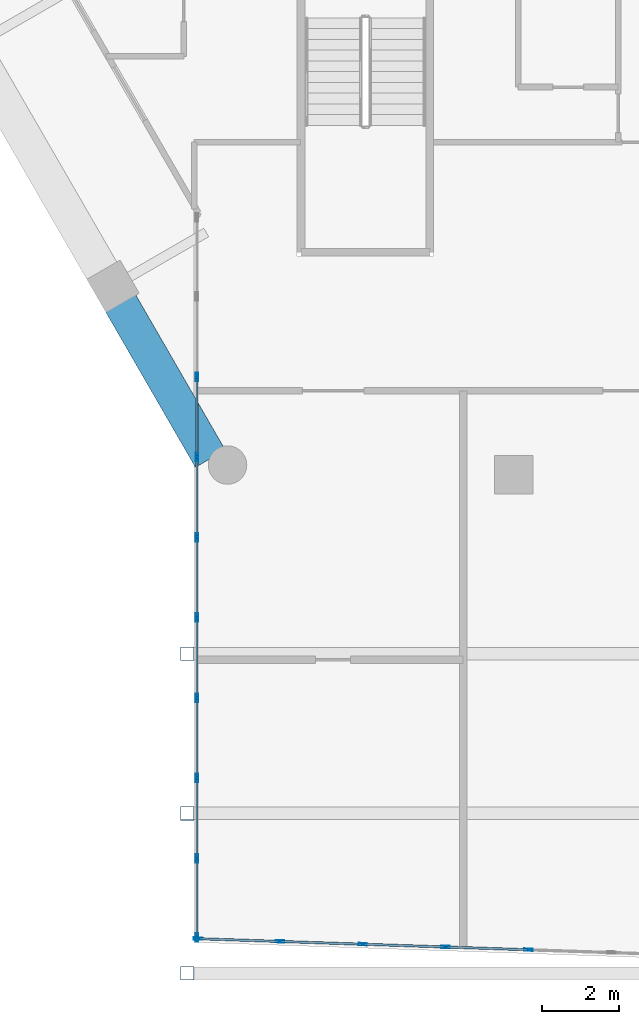
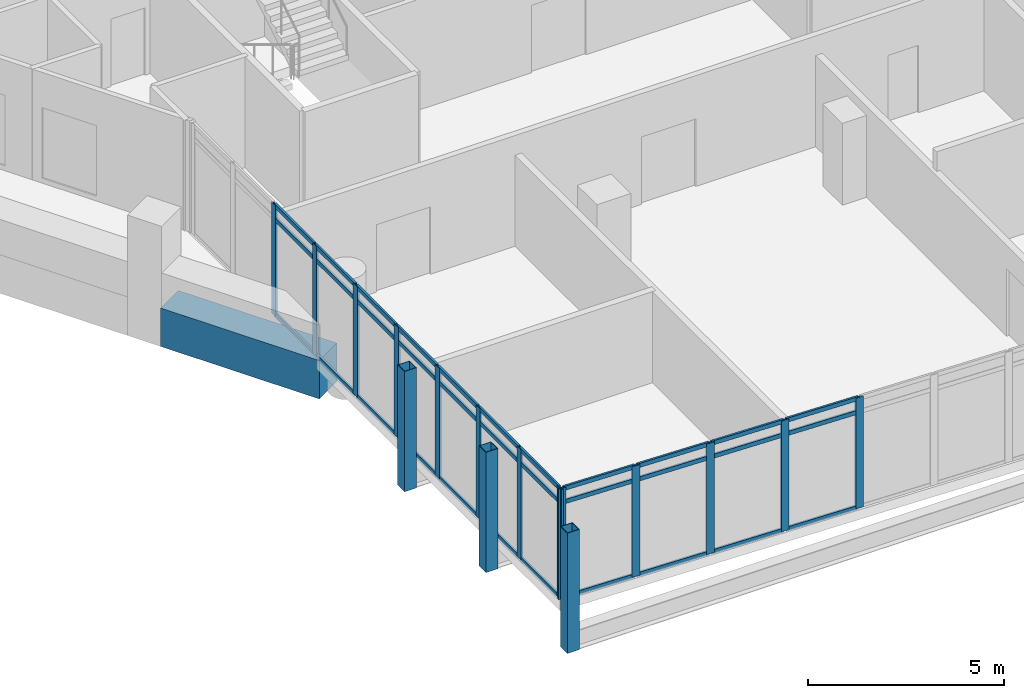
# One storey, part 2 of 29: 49 members, 1 beam, 2 elements without a shape of their own.
"""IFC4 building model written with IfcOpenShell, lengths in metres."""

from ifc_helpers import new_model, si_unit, direction, frame, origin, origin_2d, place, context, subcontext, project, spatial, rectangle, hollow_rectangle, extrude, material, material_profile, profile_set, type_object, element, aggregate, save


model = new_model("IFC4")

# Units and contexts
model_context = context("Model", 3, precision=1e-05, world=origin(), true_north=direction((0.0, 1.0)))
body_context = subcontext(model_context, "Body", "Model", "MODEL_VIEW")
ifc_project = project(units=[si_unit("LENGTHUNIT", "METRE"), si_unit("AREAUNIT", "SQUARE_METRE"), si_unit("VOLUMEUNIT", "CUBIC_METRE"), si_unit("PLANEANGLEUNIT", "RADIAN"), si_unit("MASSUNIT", "GRAM", prefix="KILO")], contexts=[model_context])

# Site, building, storey
site_placement = place(None, origin())
site = spatial("IfcSite", under=ifc_project, at=site_placement, CompositionType="ELEMENT")
building_placement = place(site_placement, origin())
building = spatial("IfcBuilding", under=site, at=building_placement, Name="Ostrander Bayou Hotel Tower", CompositionType="ELEMENT")
storey_placement = place(building_placement, frame((0.0, 0.0, 202.0)))
storey = spatial("IfcBuildingStorey", under=building, at=storey_placement, Name="L50", CompositionType="ELEMENT", Elevation=202.0)

# Curtain wall, members
ifc_material_1 = material(Name="Aluminium and clear glass", Category="aluminium")
curtain_wall_type = type_object("IfcCurtainWallType", Name="CW-BAR glazed wall", PredefinedType="NOTDEFINED", material=ifc_material_1)
curtain_wall_1_placement = place(storey_placement, origin())
curtain_wall_1 = element("IfcCurtainWall", 1, at=curtain_wall_1_placement, inside=storey, type_object=curtain_wall_type, Name="CW-BAR L50:SB4S:E", PredefinedType="NOTDEFINED")
ifc_material_2 = material(Name="Aluminium", Category="aluminium")
ifc_material_profile_1 = material_profile(ifc_material_2, hollow_rectangle(XDim=0.06005859375, YDim=0.219970703125, WallThickness=0.00390625, at=origin_2d()))
ifc_profile_set_1 = profile_set([ifc_material_profile_1], Name="Aluminium")
member_type_1 = type_object("IfcMemberType", Name="CW-BR mullion 60 x 220 mm", PredefinedType="MULLION", material=ifc_profile_set_1)
member_1_placement = place(storey_placement, frame((-11.857177734375, -14.63818359375, 0.0), z_axis=(0.0, 0.0, 1.0), x_axis=(1.0, 0.0, 0.0)))
member_1 = element("IfcMember", 2, at=member_1_placement, type_object=member_type_1, Name="CW-BAR mullion 3", PredefinedType="MULLION", context=body_context, shape_type="SweptSolid", body=[
    extrude(hollow_rectangle(XDim=0.06005859375, YDim=0.219970703125, WallThickness=0.00390625, at=origin_2d()), origin(), (0.0, 0.0, 1.0), 3.449951171875),
])
member_2_placement = place(storey_placement, frame((-11.857177734375, -16.72607421875, 0.0), z_axis=(0.0, 0.0, 1.0), x_axis=(1.0, 0.0, 0.0)))
member_2 = element("IfcMember", 3, at=member_2_placement, type_object=member_type_1, Name="CW-BAR mullion 4", PredefinedType="MULLION", context=body_context, shape_type="SweptSolid", body=[
    extrude(hollow_rectangle(XDim=0.06005859375, YDim=0.219970703125, WallThickness=0.00390625, at=origin_2d()), origin(), (0.0, 0.0, 1.0), 3.449951171875),
])
member_3_placement = place(storey_placement, frame((-11.857177734375, -18.813720703125, 0.0), z_axis=(0.0, 0.0, 1.0), x_axis=(1.0, 0.0, 0.0)))
member_3 = element("IfcMember", 4, at=member_3_placement, type_object=member_type_1, Name="CW-BAR mullion 5", PredefinedType="MULLION", context=body_context, shape_type="SweptSolid", body=[
    extrude(hollow_rectangle(XDim=0.06005859375, YDim=0.219970703125, WallThickness=0.00390625, at=origin_2d()), origin(), (0.0, 0.0, 1.0), 3.449951171875),
])
member_4_placement = place(storey_placement, frame((-11.857177734375, -20.9013671875, 0.0), z_axis=(0.0, 0.0, 1.0), x_axis=(1.0, 0.0, 0.0)))
member_4 = element("IfcMember", 5, at=member_4_placement, type_object=member_type_1, Name="CW-BAR mullion 6", PredefinedType="MULLION", context=body_context, shape_type="SweptSolid", body=[
    extrude(hollow_rectangle(XDim=0.06005859375, YDim=0.219970703125, WallThickness=0.00390625, at=origin_2d()), origin(), (0.0, 0.0, 1.0), 3.449951171875),
])
member_5_placement = place(storey_placement, frame((-11.857177734375, -22.9892578125, 0.0), z_axis=(0.0, 0.0, 1.0), x_axis=(1.0, 0.0, 0.0)))
member_5 = element("IfcMember", 6, at=member_5_placement, type_object=member_type_1, Name="CW-BAR mullion 7", PredefinedType="MULLION", context=body_context, shape_type="SweptSolid", body=[
    extrude(hollow_rectangle(XDim=0.06005859375, YDim=0.219970703125, WallThickness=0.00390625, at=origin_2d()), origin(), (0.0, 0.0, 1.0), 3.449951171875),
])
member_6_placement = place(storey_placement, frame((-11.857177734375, -25.076904296875, 0.0), z_axis=(0.0, 0.0, 1.0), x_axis=(1.0, 0.0, 0.0)))
member_6 = element("IfcMember", 7, at=member_6_placement, type_object=member_type_1, Name="CW-BAR mullion 8", PredefinedType="MULLION", context=body_context, shape_type="SweptSolid", body=[
    extrude(hollow_rectangle(XDim=0.06005859375, YDim=0.219970703125, WallThickness=0.00390625, at=origin_2d()), origin(), (0.0, 0.0, 1.0), 3.449951171875),
])
member_7_placement = place(storey_placement, frame((-11.857177734375, -27.164794921875, 0.0), z_axis=(0.0, 0.0, 1.0), x_axis=(1.0, 0.0, 0.0)))
member_7 = element("IfcMember", 8, at=member_7_placement, type_object=member_type_1, Name="CW-BAR mullion 9", PredefinedType="MULLION", context=body_context, shape_type="SweptSolid", body=[
    extrude(hollow_rectangle(XDim=0.06005859375, YDim=0.219970703125, WallThickness=0.00390625, at=origin_2d()), origin(), (0.0, 0.0, 1.0), 3.449951171875),
])
member_8_placement = place(storey_placement, frame((-11.857177734375, -29.222412109375, 0.0), z_axis=(0.0, 0.0, 1.0), x_axis=(1.0, 0.0, 0.0)))
member_8 = element("IfcMember", 9, at=member_8_placement, type_object=member_type_1, Name="CW-BAR mullion 10", PredefinedType="MULLION", context=body_context, shape_type="SweptSolid", body=[
    extrude(hollow_rectangle(XDim=0.06005859375, YDim=0.219970703125, WallThickness=0.00390625, at=origin_2d()), origin(), (0.0, 0.0, 1.0), 3.449951171875),
])

curtain_wall_2_placement = place(storey_placement, origin())
curtain_wall_2 = element("IfcCurtainWall", 10, at=curtain_wall_2_placement, inside=storey, type_object=curtain_wall_type, Name="CW-BAR L50:SB4S:T", PredefinedType="NOTDEFINED")
member_9_placement = place(storey_placement, frame((-11.8271484375, -29.25341796875, 0.0), z_axis=(0.0, 0.0, 1.0), x_axis=(0.03350511268, 0.999438546097, 0.0)))
member_9 = element("IfcMember", 11, at=member_9_placement, type_object=member_type_1, Name="CW-BAR mullion 1", PredefinedType="MULLION", context=body_context, shape_type="SweptSolid", body=[
    extrude(hollow_rectangle(XDim=0.06005859375, YDim=0.219970703125, WallThickness=0.00390625, at=origin_2d()), origin(), (0.0, 0.0, 1.0), 3.449951171875),
])
member_10_placement = place(storey_placement, frame((-9.701416015625, -29.32470703125, 0.0), z_axis=(0.0, 0.0, 1.0), x_axis=(0.03350511268, 0.999438546097, 0.0)))
member_10 = element("IfcMember", 12, at=member_10_placement, type_object=member_type_1, Name="CW-BAR mullion 2", PredefinedType="MULLION", context=body_context, shape_type="SweptSolid", body=[
    extrude(hollow_rectangle(XDim=0.06005859375, YDim=0.219970703125, WallThickness=0.00390625, at=origin_2d()), origin(), (0.0, 0.0, 1.0), 3.449951171875),
])
member_11_placement = place(storey_placement, frame((-7.54541015625, -29.39697265625, 0.0), z_axis=(0.0, 0.0, 1.0), x_axis=(0.03350511268, 0.999438546097, 0.0)))
member_11 = element("IfcMember", 13, at=member_11_placement, type_object=member_type_1, Name="CW-BAR mullion 3", PredefinedType="MULLION", context=body_context, shape_type="SweptSolid", body=[
    extrude(hollow_rectangle(XDim=0.06005859375, YDim=0.219970703125, WallThickness=0.00390625, at=origin_2d()), origin(), (0.0, 0.0, 1.0), 3.449951171875),
])
member_12_placement = place(storey_placement, frame((-5.3896484375, -29.46923828125, 0.0), z_axis=(0.0, 0.0, 1.0), x_axis=(0.03350511268, 0.999438546097, 0.0)))
member_12 = element("IfcMember", 14, at=member_12_placement, type_object=member_type_1, Name="CW-BAR mullion 4", PredefinedType="MULLION", context=body_context, shape_type="SweptSolid", body=[
    extrude(hollow_rectangle(XDim=0.06005859375, YDim=0.219970703125, WallThickness=0.00390625, at=origin_2d()), origin(), (0.0, 0.0, 1.0), 3.449951171875),
])
member_13_placement = place(storey_placement, frame((-3.23388671875, -29.54150390625, 0.0), z_axis=(0.0, 0.0, 1.0), x_axis=(0.03350511268, 0.999438546097, 0.0)))
member_13 = element("IfcMember", 15, at=member_13_placement, type_object=member_type_1, Name="CW-BAR mullion 5", PredefinedType="MULLION", context=body_context, shape_type="SweptSolid", body=[
    extrude(hollow_rectangle(XDim=0.06005859375, YDim=0.219970703125, WallThickness=0.00390625, at=origin_2d()), origin(), (0.0, 0.0, 1.0), 3.449951171875),
])

# Member
ifc_material_3 = material(Name="Aluminium", Category="aluminium")
ifc_material_profile_2 = material_profile(ifc_material_3, hollow_rectangle(XDim=0.06005859375, YDim=0.1298828125, WallThickness=0.00390625, at=origin_2d()))
ifc_profile_set_2 = profile_set([ifc_material_profile_2], Name="Aluminium")
member_type_2 = type_object("IfcMemberType", Name="CW-BR transom 60 x 130 mm", PredefinedType="USERDEFINED", material=ifc_profile_set_2)
member_14_placement = place(storey_placement, frame((-11.857177734375, -14.668212890625, 0.030029296875), z_axis=(0.0, -1.0, 0.0), x_axis=(1.0, 0.0, 0.0)))
member_14 = element("IfcMember", 16, at=member_14_placement, type_object=member_type_2, Name="CW-BAR transom 3.1", ObjectType="TRANSOM", PredefinedType="USERDEFINED", context=body_context, shape_type="SweptSolid", body=[
    extrude(hollow_rectangle(XDim=0.06005859375, YDim=0.1298828125, WallThickness=0.00390625, at=origin_2d()), origin(), (0.0, 0.0, 1.0), 2.02783203125),
])

member_15_placement = place(storey_placement, frame((-11.857177734375, -14.668212890625, 3.0), z_axis=(0.0, -1.0, 0.0), x_axis=(1.0, 0.0, 0.0)))
member_15 = element("IfcMember", 17, at=member_15_placement, type_object=member_type_2, Name="CW-BAR transom 3.2", ObjectType="TRANSOM", PredefinedType="USERDEFINED", context=body_context, shape_type="SweptSolid", body=[
    extrude(hollow_rectangle(XDim=0.06005859375, YDim=0.1298828125, WallThickness=0.00390625, at=origin_2d()), origin(), (0.0, 0.0, 1.0), 2.02783203125),
])

member_16_placement = place(storey_placement, frame((-11.857177734375, -14.668212890625, 3.419921875), z_axis=(0.0, -1.0, 0.0), x_axis=(1.0, 0.0, 0.0)))
member_16 = element("IfcMember", 18, at=member_16_placement, type_object=member_type_2, Name="CW-BAR transom 3.3", ObjectType="TRANSOM", PredefinedType="USERDEFINED", context=body_context, shape_type="SweptSolid", body=[
    extrude(hollow_rectangle(XDim=0.06005859375, YDim=0.1298828125, WallThickness=0.00390625, at=origin_2d()), origin(), (0.0, 0.0, 1.0), 2.02783203125),
])

member_17_placement = place(storey_placement, frame((-11.857177734375, -16.755859375, 0.030029296875), z_axis=(0.0, -1.0, 0.0), x_axis=(1.0, 0.0, 0.0)))
member_17 = element("IfcMember", 19, at=member_17_placement, type_object=member_type_2, Name="CW-BAR transom 4.1", ObjectType="TRANSOM", PredefinedType="USERDEFINED", context=body_context, shape_type="SweptSolid", body=[
    extrude(hollow_rectangle(XDim=0.06005859375, YDim=0.1298828125, WallThickness=0.00390625, at=origin_2d()), origin(), (0.0, 0.0, 1.0), 2.02783203125),
])

member_18_placement = place(storey_placement, frame((-11.857177734375, -16.755859375, 3.0), z_axis=(0.0, -1.0, 0.0), x_axis=(1.0, 0.0, 0.0)))
member_18 = element("IfcMember", 20, at=member_18_placement, type_object=member_type_2, Name="CW-BAR transom 4.2", ObjectType="TRANSOM", PredefinedType="USERDEFINED", context=body_context, shape_type="SweptSolid", body=[
    extrude(hollow_rectangle(XDim=0.06005859375, YDim=0.1298828125, WallThickness=0.00390625, at=origin_2d()), origin(), (0.0, 0.0, 1.0), 2.02783203125),
])

member_19_placement = place(storey_placement, frame((-11.857177734375, -16.755859375, 3.419921875), z_axis=(0.0, -1.0, 0.0), x_axis=(1.0, 0.0, 0.0)))
member_19 = element("IfcMember", 21, at=member_19_placement, type_object=member_type_2, Name="CW-BAR transom 4.3", ObjectType="TRANSOM", PredefinedType="USERDEFINED", context=body_context, shape_type="SweptSolid", body=[
    extrude(hollow_rectangle(XDim=0.06005859375, YDim=0.1298828125, WallThickness=0.00390625, at=origin_2d()), origin(), (0.0, 0.0, 1.0), 2.02783203125),
])

member_20_placement = place(storey_placement, frame((-11.857177734375, -18.84375, 0.030029296875), z_axis=(0.0, -1.0, 0.0), x_axis=(1.0, 0.0, 0.0)))
member_20 = element("IfcMember", 22, at=member_20_placement, type_object=member_type_2, Name="CW-BAR transom 5.1", ObjectType="TRANSOM", PredefinedType="USERDEFINED", context=body_context, shape_type="SweptSolid", body=[
    extrude(hollow_rectangle(XDim=0.06005859375, YDim=0.1298828125, WallThickness=0.00390625, at=origin_2d()), origin(), (0.0, 0.0, 1.0), 2.02783203125),
])

member_21_placement = place(storey_placement, frame((-11.857177734375, -18.84375, 3.0), z_axis=(0.0, -1.0, 0.0), x_axis=(1.0, 0.0, 0.0)))
member_21 = element("IfcMember", 23, at=member_21_placement, type_object=member_type_2, Name="CW-BAR transom 5.2", ObjectType="TRANSOM", PredefinedType="USERDEFINED", context=body_context, shape_type="SweptSolid", body=[
    extrude(hollow_rectangle(XDim=0.06005859375, YDim=0.1298828125, WallThickness=0.00390625, at=origin_2d()), origin(), (0.0, 0.0, 1.0), 2.02783203125),
])

member_22_placement = place(storey_placement, frame((-11.857177734375, -18.84375, 3.419921875), z_axis=(0.0, -1.0, 0.0), x_axis=(1.0, 0.0, 0.0)))
member_22 = element("IfcMember", 24, at=member_22_placement, type_object=member_type_2, Name="CW-BAR transom 5.3", ObjectType="TRANSOM", PredefinedType="USERDEFINED", context=body_context, shape_type="SweptSolid", body=[
    extrude(hollow_rectangle(XDim=0.06005859375, YDim=0.1298828125, WallThickness=0.00390625, at=origin_2d()), origin(), (0.0, 0.0, 1.0), 2.02783203125),
])

member_23_placement = place(storey_placement, frame((-11.857177734375, -20.931396484375, 0.030029296875), z_axis=(0.0, -1.0, 0.0), x_axis=(1.0, 0.0, 0.0)))
member_23 = element("IfcMember", 25, at=member_23_placement, type_object=member_type_2, Name="CW-BAR transom 6.1", ObjectType="TRANSOM", PredefinedType="USERDEFINED", context=body_context, shape_type="SweptSolid", body=[
    extrude(hollow_rectangle(XDim=0.06005859375, YDim=0.1298828125, WallThickness=0.00390625, at=origin_2d()), origin(), (0.0, 0.0, 1.0), 2.02783203125),
])

member_24_placement = place(storey_placement, frame((-11.857177734375, -20.931396484375, 3.0), z_axis=(0.0, -1.0, 0.0), x_axis=(1.0, 0.0, 0.0)))
member_24 = element("IfcMember", 26, at=member_24_placement, type_object=member_type_2, Name="CW-BAR transom 6.2", ObjectType="TRANSOM", PredefinedType="USERDEFINED", context=body_context, shape_type="SweptSolid", body=[
    extrude(hollow_rectangle(XDim=0.06005859375, YDim=0.1298828125, WallThickness=0.00390625, at=origin_2d()), origin(), (0.0, 0.0, 1.0), 2.02783203125),
])

member_25_placement = place(storey_placement, frame((-11.857177734375, -20.931396484375, 3.419921875), z_axis=(0.0, -1.0, 0.0), x_axis=(1.0, 0.0, 0.0)))
member_25 = element("IfcMember", 27, at=member_25_placement, type_object=member_type_2, Name="CW-BAR transom 6.3", ObjectType="TRANSOM", PredefinedType="USERDEFINED", context=body_context, shape_type="SweptSolid", body=[
    extrude(hollow_rectangle(XDim=0.06005859375, YDim=0.1298828125, WallThickness=0.00390625, at=origin_2d()), origin(), (0.0, 0.0, 1.0), 2.02783203125),
])

member_26_placement = place(storey_placement, frame((-11.857177734375, -23.019287109375, 0.030029296875), z_axis=(0.0, -1.0, 0.0), x_axis=(1.0, 0.0, 0.0)))
member_26 = element("IfcMember", 28, at=member_26_placement, type_object=member_type_2, Name="CW-BAR transom 7.1", ObjectType="TRANSOM", PredefinedType="USERDEFINED", context=body_context, shape_type="SweptSolid", body=[
    extrude(hollow_rectangle(XDim=0.06005859375, YDim=0.1298828125, WallThickness=0.00390625, at=origin_2d()), origin(), (0.0, 0.0, 1.0), 2.027587890625),
])

member_27_placement = place(storey_placement, frame((-11.857177734375, -23.019287109375, 3.0), z_axis=(0.0, -1.0, 0.0), x_axis=(1.0, 0.0, 0.0)))
member_27 = element("IfcMember", 29, at=member_27_placement, type_object=member_type_2, Name="CW-BAR transom 7.2", ObjectType="TRANSOM", PredefinedType="USERDEFINED", context=body_context, shape_type="SweptSolid", body=[
    extrude(hollow_rectangle(XDim=0.06005859375, YDim=0.1298828125, WallThickness=0.00390625, at=origin_2d()), origin(), (0.0, 0.0, 1.0), 2.027587890625),
])

member_28_placement = place(storey_placement, frame((-11.857177734375, -23.019287109375, 3.419921875), z_axis=(0.0, -1.0, 0.0), x_axis=(1.0, 0.0, 0.0)))
member_28 = element("IfcMember", 30, at=member_28_placement, type_object=member_type_2, Name="CW-BAR transom 7.3", ObjectType="TRANSOM", PredefinedType="USERDEFINED", context=body_context, shape_type="SweptSolid", body=[
    extrude(hollow_rectangle(XDim=0.06005859375, YDim=0.1298828125, WallThickness=0.00390625, at=origin_2d()), origin(), (0.0, 0.0, 1.0), 2.027587890625),
])

member_29_placement = place(storey_placement, frame((-11.857177734375, -25.10693359375, 0.030029296875), z_axis=(0.0, -1.0, 0.0), x_axis=(1.0, 0.0, 0.0)))
member_29 = element("IfcMember", 31, at=member_29_placement, type_object=member_type_2, Name="CW-BAR transom 8.1", ObjectType="TRANSOM", PredefinedType="USERDEFINED", context=body_context, shape_type="SweptSolid", body=[
    extrude(hollow_rectangle(XDim=0.06005859375, YDim=0.1298828125, WallThickness=0.00390625, at=origin_2d()), origin(), (0.0, 0.0, 1.0), 2.02783203125),
])

member_30_placement = place(storey_placement, frame((-11.857177734375, -25.10693359375, 3.0), z_axis=(0.0, -1.0, 0.0), x_axis=(1.0, 0.0, 0.0)))
member_30 = element("IfcMember", 32, at=member_30_placement, type_object=member_type_2, Name="CW-BAR transom 8.2", ObjectType="TRANSOM", PredefinedType="USERDEFINED", context=body_context, shape_type="SweptSolid", body=[
    extrude(hollow_rectangle(XDim=0.06005859375, YDim=0.1298828125, WallThickness=0.00390625, at=origin_2d()), origin(), (0.0, 0.0, 1.0), 2.02783203125),
])

member_31_placement = place(storey_placement, frame((-11.857177734375, -25.10693359375, 3.419921875), z_axis=(0.0, -1.0, 0.0), x_axis=(1.0, 0.0, 0.0)))
member_31 = element("IfcMember", 33, at=member_31_placement, type_object=member_type_2, Name="CW-BAR transom 8.3", ObjectType="TRANSOM", PredefinedType="USERDEFINED", context=body_context, shape_type="SweptSolid", body=[
    extrude(hollow_rectangle(XDim=0.06005859375, YDim=0.1298828125, WallThickness=0.00390625, at=origin_2d()), origin(), (0.0, 0.0, 1.0), 2.02783203125),
])

member_32_placement = place(storey_placement, frame((-11.857177734375, -27.19482421875, 0.030029296875), z_axis=(0.0, -1.0, 0.0), x_axis=(1.0, 0.0, 0.0)))
member_32 = element("IfcMember", 34, at=member_32_placement, type_object=member_type_2, Name="CW-BAR transom 9.1", ObjectType="TRANSOM", PredefinedType="USERDEFINED", context=body_context, shape_type="SweptSolid", body=[
    extrude(hollow_rectangle(XDim=0.06005859375, YDim=0.1298828125, WallThickness=0.00390625, at=origin_2d()), origin(), (0.0, 0.0, 1.0), 1.99755859375),
])

member_33_placement = place(storey_placement, frame((-11.857177734375, -27.19482421875, 3.0), z_axis=(0.0, -1.0, 0.0), x_axis=(1.0, 0.0, 0.0)))
member_33 = element("IfcMember", 35, at=member_33_placement, type_object=member_type_2, Name="CW-BAR transom 9.2", ObjectType="TRANSOM", PredefinedType="USERDEFINED", context=body_context, shape_type="SweptSolid", body=[
    extrude(hollow_rectangle(XDim=0.06005859375, YDim=0.1298828125, WallThickness=0.00390625, at=origin_2d()), origin(), (0.0, 0.0, 1.0), 1.99755859375),
])

member_34_placement = place(storey_placement, frame((-11.857177734375, -27.19482421875, 3.419921875), z_axis=(0.0, -1.0, 0.0), x_axis=(1.0, 0.0, 0.0)))
member_34 = element("IfcMember", 36, at=member_34_placement, type_object=member_type_2, Name="CW-BAR transom 9.3", ObjectType="TRANSOM", PredefinedType="USERDEFINED", context=body_context, shape_type="SweptSolid", body=[
    extrude(hollow_rectangle(XDim=0.06005859375, YDim=0.1298828125, WallThickness=0.00390625, at=origin_2d()), origin(), (0.0, 0.0, 1.0), 1.99755859375),
])

aggregate(curtain_wall_1, [member_1, member_2, member_3, member_4, member_5, member_6, member_7, member_8, member_14, member_15, member_16, member_17, member_18, member_19, member_20, member_21, member_22, member_23, member_24, member_25, member_26, member_27, member_28, member_29, member_30, member_31, member_32, member_33, member_34])

member_35_placement = place(storey_placement, frame((-11.797119140625, -29.25439453125, 0.030029296875), z_axis=(0.999437145028, -0.033546879705, 0.0), x_axis=(0.033546879705, 0.999437145028, 0.0)))
member_35 = element("IfcMember", 37, at=member_35_placement, type_object=member_type_2, Name="CW-BAR transom 1.1", ObjectType="TRANSOM", PredefinedType="USERDEFINED", context=body_context, shape_type="SweptSolid", body=[
    extrude(hollow_rectangle(XDim=0.06005859375, YDim=0.1298828125, WallThickness=0.00390625, at=origin_2d()), origin(), (0.0, 0.0, 1.0), 2.06689453125),
])

member_36_placement = place(storey_placement, frame((-11.797119140625, -29.25439453125, 3.0), z_axis=(0.999437145028, -0.033546879705, 0.0), x_axis=(0.033546879705, 0.999437145028, 0.0)))
member_36 = element("IfcMember", 38, at=member_36_placement, type_object=member_type_2, Name="CW-BAR transom 1.2", ObjectType="TRANSOM", PredefinedType="USERDEFINED", context=body_context, shape_type="SweptSolid", body=[
    extrude(hollow_rectangle(XDim=0.06005859375, YDim=0.1298828125, WallThickness=0.00390625, at=origin_2d()), origin(), (0.0, 0.0, 1.0), 2.06689453125),
])

member_37_placement = place(storey_placement, frame((-11.797119140625, -29.25439453125, 3.419921875), z_axis=(0.999437145028, -0.033546879705, 0.0), x_axis=(0.033546879705, 0.999437145028, 0.0)))
member_37 = element("IfcMember", 39, at=member_37_placement, type_object=member_type_2, Name="CW-BAR transom 1.3", ObjectType="TRANSOM", PredefinedType="USERDEFINED", context=body_context, shape_type="SweptSolid", body=[
    extrude(hollow_rectangle(XDim=0.06005859375, YDim=0.1298828125, WallThickness=0.00390625, at=origin_2d()), origin(), (0.0, 0.0, 1.0), 2.06689453125),
])

member_38_placement = place(storey_placement, frame((-9.67138671875, -29.32568359375, 0.030029296875), z_axis=(0.99943777778, -0.033528023297, 0.0), x_axis=(0.033528023297, 0.99943777778, 0.0)))
member_38 = element("IfcMember", 40, at=member_38_placement, type_object=member_type_2, Name="CW-BAR transom 2.1", ObjectType="TRANSOM", PredefinedType="USERDEFINED", context=body_context, shape_type="SweptSolid", body=[
    extrude(hollow_rectangle(XDim=0.06005859375, YDim=0.1298828125, WallThickness=0.00390625, at=origin_2d()), origin(), (0.0, 0.0, 1.0), 2.09716796875),
])

member_39_placement = place(storey_placement, frame((-9.67138671875, -29.32568359375, 3.0), z_axis=(0.99943777778, -0.033528023297, 0.0), x_axis=(0.033528023297, 0.99943777778, 0.0)))
member_39 = element("IfcMember", 41, at=member_39_placement, type_object=member_type_2, Name="CW-BAR transom 2.2", ObjectType="TRANSOM", PredefinedType="USERDEFINED", context=body_context, shape_type="SweptSolid", body=[
    extrude(hollow_rectangle(XDim=0.06005859375, YDim=0.1298828125, WallThickness=0.00390625, at=origin_2d()), origin(), (0.0, 0.0, 1.0), 2.09716796875),
])

member_40_placement = place(storey_placement, frame((-9.67138671875, -29.32568359375, 3.419921875), z_axis=(0.99943777778, -0.033528023297, 0.0), x_axis=(0.033528023297, 0.99943777778, 0.0)))
member_40 = element("IfcMember", 42, at=member_40_placement, type_object=member_type_2, Name="CW-BAR transom 2.3", ObjectType="TRANSOM", PredefinedType="USERDEFINED", context=body_context, shape_type="SweptSolid", body=[
    extrude(hollow_rectangle(XDim=0.06005859375, YDim=0.1298828125, WallThickness=0.00390625, at=origin_2d()), origin(), (0.0, 0.0, 1.0), 2.09716796875),
])

member_41_placement = place(storey_placement, frame((-7.515625, -29.39794921875, 0.030029296875), z_axis=(0.99943777778, -0.033528023297, 0.0), x_axis=(0.033528023297, 0.99943777778, 0.0)))
member_41 = element("IfcMember", 43, at=member_41_placement, type_object=member_type_2, Name="CW-BAR transom 3.1", ObjectType="TRANSOM", PredefinedType="USERDEFINED", context=body_context, shape_type="SweptSolid", body=[
    extrude(hollow_rectangle(XDim=0.06005859375, YDim=0.1298828125, WallThickness=0.00390625, at=origin_2d()), origin(), (0.0, 0.0, 1.0), 2.09716796875),
])

member_42_placement = place(storey_placement, frame((-7.515625, -29.39794921875, 3.0), z_axis=(0.99943777778, -0.033528023297, 0.0), x_axis=(0.033528023297, 0.99943777778, 0.0)))
member_42 = element("IfcMember", 44, at=member_42_placement, type_object=member_type_2, Name="CW-BAR transom 3.2", ObjectType="TRANSOM", PredefinedType="USERDEFINED", context=body_context, shape_type="SweptSolid", body=[
    extrude(hollow_rectangle(XDim=0.06005859375, YDim=0.1298828125, WallThickness=0.00390625, at=origin_2d()), origin(), (0.0, 0.0, 1.0), 2.09716796875),
])

member_43_placement = place(storey_placement, frame((-7.515625, -29.39794921875, 3.419921875), z_axis=(0.99943777778, -0.033528023297, 0.0), x_axis=(0.033528023297, 0.99943777778, 0.0)))
member_43 = element("IfcMember", 45, at=member_43_placement, type_object=member_type_2, Name="CW-BAR transom 3.3", ObjectType="TRANSOM", PredefinedType="USERDEFINED", context=body_context, shape_type="SweptSolid", body=[
    extrude(hollow_rectangle(XDim=0.06005859375, YDim=0.1298828125, WallThickness=0.00390625, at=origin_2d()), origin(), (0.0, 0.0, 1.0), 2.09716796875),
])

member_44_placement = place(storey_placement, frame((-5.359619140625, -29.47021484375, 0.030029296875), z_axis=(0.99943777778, -0.033528023297, 0.0), x_axis=(0.033528023297, 0.99943777778, 0.0)))
member_44 = element("IfcMember", 46, at=member_44_placement, type_object=member_type_2, Name="CW-BAR transom 4.1", ObjectType="TRANSOM", PredefinedType="USERDEFINED", context=body_context, shape_type="SweptSolid", body=[
    extrude(hollow_rectangle(XDim=0.06005859375, YDim=0.1298828125, WallThickness=0.00390625, at=origin_2d()), origin(), (0.0, 0.0, 1.0), 2.09716796875),
])

member_45_placement = place(storey_placement, frame((-5.359619140625, -29.47021484375, 3.0), z_axis=(0.99943777778, -0.033528023297, 0.0), x_axis=(0.033528023297, 0.99943777778, 0.0)))
member_45 = element("IfcMember", 47, at=member_45_placement, type_object=member_type_2, Name="CW-BAR transom 4.2", ObjectType="TRANSOM", PredefinedType="USERDEFINED", context=body_context, shape_type="SweptSolid", body=[
    extrude(hollow_rectangle(XDim=0.06005859375, YDim=0.1298828125, WallThickness=0.00390625, at=origin_2d()), origin(), (0.0, 0.0, 1.0), 2.09716796875),
])

member_46_placement = place(storey_placement, frame((-5.359619140625, -29.47021484375, 3.419921875), z_axis=(0.99943777778, -0.033528023297, 0.0), x_axis=(0.033528023297, 0.99943777778, 0.0)))
member_46 = element("IfcMember", 48, at=member_46_placement, type_object=member_type_2, Name="CW-BAR transom 4.3", ObjectType="TRANSOM", PredefinedType="USERDEFINED", context=body_context, shape_type="SweptSolid", body=[
    extrude(hollow_rectangle(XDim=0.06005859375, YDim=0.1298828125, WallThickness=0.00390625, at=origin_2d()), origin(), (0.0, 0.0, 1.0), 2.09716796875),
])

aggregate(curtain_wall_2, [member_9, member_10, member_11, member_12, member_13, member_35, member_36, member_37, member_38, member_39, member_40, member_41, member_42, member_43, member_44, member_45, member_46])

# Beam
ifc_material_4 = material(Name="Concrete f'c 60 MPa", Category="concrete")
ifc_material_profile_3 = material_profile(ifc_material_4, rectangle(XDim=0.89990234375, YDim=1.199951171875, at=origin_2d()))
ifc_profile_set_3 = profile_set([ifc_material_profile_3], Name="Concrete f'c 60 MPa")
beam_type = type_object("IfcBeamType", Name="SP3 spandrel beam 900 x 1200 mm f'c 60 MPa", PredefinedType="SPANDREL", material=ifc_profile_set_3)
beam_placement = place(storey_placement, frame((-13.847412109375, -12.71533203125, -0.60009765625), z_axis=(0.499966354109, -0.866044828377, 0.0), x_axis=(0.866044828377, 0.499966354109, 0.0)))
element("IfcBeam", 49, at=beam_placement, inside=storey, type_object=beam_type, Name="SP3 L50 SW-3", PredefinedType="SPANDREL", context=body_context, shape_type="SweptSolid", body=[
    extrude(rectangle(XDim=0.89990234375, YDim=1.199951171875, at=origin_2d()), origin(), (0.0, 0.0, 1.0), 4.678955078125),
])

# Members
ifc_material_5 = material(Name="Steel ASTM A500 Gr C", Category="steel")
ifc_material_profile_4 = material_profile(ifc_material_5, hollow_rectangle(XDim=0.355712890625, YDim=0.355712890625, WallThickness=0.0146484375, at=origin_2d()))
ifc_profile_set_4 = profile_set([ifc_material_profile_4], Name="Steel ASTM A500 Gr C")
member_type_3 = type_object("IfcMemberType", Name="TH1 bar hanger HSS14x14x5/8", PredefinedType="POST", material=ifc_profile_set_4)
for number, where, z_axis, x_axis, name in (
    (50, (-12.110107421875, -21.840576171875, -0.9111328125), (0.0, 0.0, 1.0), (1.0, 0.0, 0.0), "TH1 SB4SA H1-3"),
    (51, (-12.110107421875, -25.995361328125, -0.9111328125), (0.0, 0.0, 1.0), (1.0, 0.0, 0.0), "TH1 SB4SA H2-3"),
    (52, (-12.110107421875, -30.14990234375, -0.9111328125), (0.0, 0.0, 1.0), (1.0, 0.0, 0.0), "TH1 SB4SA H3-3"),
):
    element("IfcMember", number, at=place(storey_placement, frame(where, z_axis=z_axis, x_axis=x_axis)), inside=storey, type_object=member_type_3, Name=name, PredefinedType="POST", context=body_context, shape_type="SweptSolid", body=[
        extrude(hollow_rectangle(XDim=0.355712890625, YDim=0.355712890625, WallThickness=0.0146484375, at=origin_2d()), origin(), (0.0, 0.0, 1.0), 3.75),
    ])

save(model, "model.ifc")
